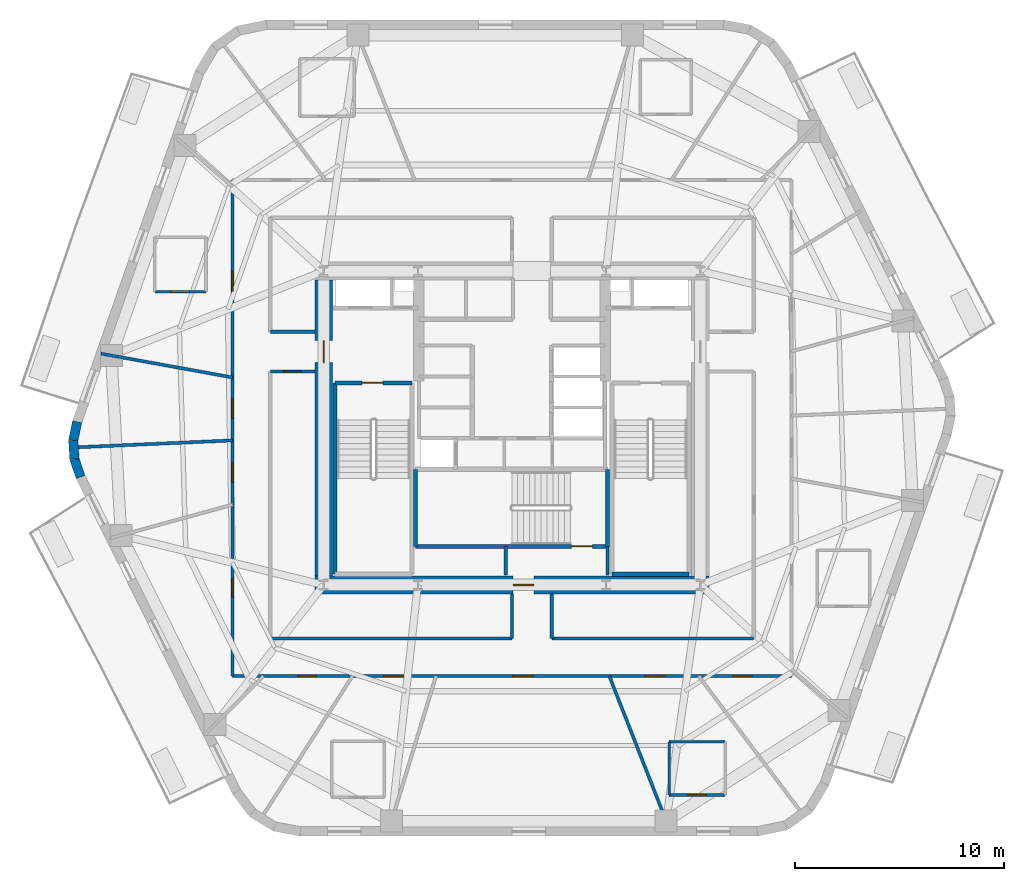
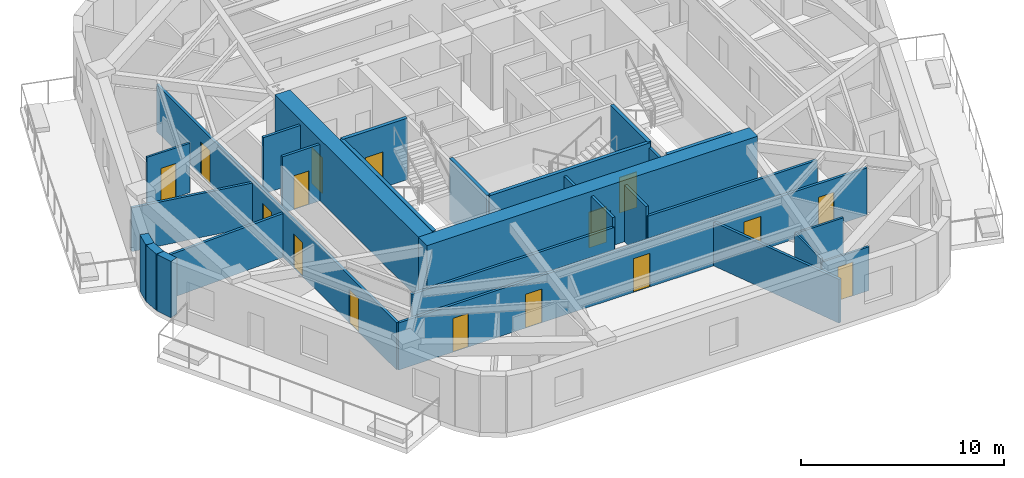
# One storey, part 3 of 10: 28 walls, 16 doors, 16 openings.
"""IFC4 building model written with IfcOpenShell, lengths in metres."""

from ifc_helpers import new_model, si_unit, direction, frame, frame_2d, origin, place, context, subcontext, project, spatial, rectangle, extrude, material, layer, layer_set, type_object, element, fill, save


model = new_model("IFC4")

# Units and contexts
model_context = context("Model", 3, precision=1e-05, world=origin(), true_north=direction((0.0, 1.0)))
body_context = subcontext(model_context, "Body", "Model", "MODEL_VIEW")
ifc_project = project(units=[si_unit("LENGTHUNIT", "METRE"), si_unit("AREAUNIT", "SQUARE_METRE"), si_unit("VOLUMEUNIT", "CUBIC_METRE"), si_unit("PLANEANGLEUNIT", "RADIAN"), si_unit("MASSUNIT", "GRAM", prefix="KILO")], contexts=[model_context])

# Site, building, storey
site_placement = place(None, origin())
site = spatial("IfcSite", under=ifc_project, at=site_placement, CompositionType="ELEMENT")
building_placement = place(site_placement, origin())
building = spatial("IfcBuilding", under=site, at=building_placement, Name="Kilnhurst Terrace Hotel", CompositionType="ELEMENT")
storey_placement = place(building_placement, frame((0.0, 0.0, 144.300048828125)))
storey = spatial("IfcBuildingStorey", under=building, at=storey_placement, Name="L35", CompositionType="ELEMENT", Elevation=144.300048828125)

# Walls
ifc_material_1 = material(Name="Precast concrete C40/50", Category="concrete")
ifc_layer_1 = layer(ifc_material_1, 0.449951171875, Name="Precast concrete C40/50")
ifc_layer_set_1 = layer_set([ifc_layer_1], Name="Precast concrete C40/50")
wall_type_1 = type_object("IfcWallType", Name="WL-BRK-450", PredefinedType="SOLIDWALL", material=ifc_layer_set_1)
wall_1_placement = place(storey_placement, frame((-20.78173828125, 0.298095703125, 0.0), z_axis=(0.0, 0.0, 1.0), x_axis=(-0.202570068411, -0.979267771033, 0.0)))
element("IfcWall", 1, at=wall_1_placement, inside=storey, type_object=wall_type_1, Name="L35 Rounded Corner Brick Wall C6.1", PredefinedType="SOLIDWALL", context=body_context, shape_type="SweptSolid", body=[
    extrude(rectangle(XDim=0.90869140625, YDim=0.449951171875, at=frame_2d((0.454345703125, 0.0))), origin(), (0.0, 0.0, 1.0), 3.39990234375),
])
wall_2_placement = place(storey_placement, frame((-20.9658203125, -0.591796875, 0.0), z_axis=(0.0, 0.0, 1.0), x_axis=(0.061748898935, -0.998091715966, 0.0)))
element("IfcWall", 2, at=wall_2_placement, inside=storey, type_object=wall_type_1, Name="L35 Rounded Corner Brick Wall C6.2", PredefinedType="SOLIDWALL", context=body_context, shape_type="SweptSolid", body=[
    extrude(rectangle(XDim=0.8935546875, YDim=0.449951171875, at=frame_2d((0.44677734375, 0.0))), origin(), (0.0, 0.0, 1.0), 3.39990234375),
])
wall_3_placement = place(storey_placement, frame((-20.91064453125, -1.483642578125, 0.0), z_axis=(0.0, 0.0, 1.0), x_axis=(0.321623334353, -0.946867694453, 0.0)))
element("IfcWall", 3, at=wall_3_placement, inside=storey, type_object=wall_type_1, Name="L35 Rounded Corner Brick Wall C6.3", PredefinedType="SOLIDWALL", context=body_context, shape_type="SweptSolid", body=[
    extrude(rectangle(XDim=0.90869140625, YDim=0.449951171875, at=frame_2d((0.454345703125, 0.0))), origin(), (0.0, 0.0, 1.0), 3.39990234375),
])

# Wall, openings, doors
ifc_material_2 = material(Name="Acoustic Double-Gypsum Corridor Partition Assembly")
ifc_layer_2 = layer(ifc_material_2, 0.14990234375, Name="Acoustic Double-Gypsum Corridor Partition Assembly")
ifc_layer_set_2 = layer_set([ifc_layer_2], Name="Acoustic Double-Gypsum Corridor Partition Assembly")
wall_type_2 = type_object("IfcWallType", Name="WL-COR-150", PredefinedType="PARTITIONING", material=ifc_layer_set_2)
wall_4_placement = place(storey_placement, frame((13.35009765625, -11.85009765625, 0.0), z_axis=(0.0, 0.0, 1.0), x_axis=(-1.0, 0.0, 0.0)))
wall_4 = element("IfcWall", 4, at=wall_4_placement, inside=storey, type_object=wall_type_2, Name="L35 Interior Wall WL-L35-COR-01", PredefinedType="PARTITIONING", context=body_context, shape_type="SweptSolid", body=[
    extrude(rectangle(XDim=26.7001953125, YDim=0.14990234375, at=frame_2d((13.35009765625, 0.0))), origin(), (0.0, 0.0, 1.0), 2.83984375),
])
opening_1_placement = place(wall_4_placement, frame((22.699951171875, 0.0, 0.0)))
opening_1 = element("IfcOpeningElement", 5, at=opening_1_placement, cuts=wall_4, Name="Opening D-60C", PredefinedType="OPENING", context=body_context, shape_type="SweptSolid", body=[
    extrude(rectangle(XDim=0.89990234375, YDim=2.030029296875, at=frame_2d((0.449951171875, 1.01513671875))), frame((0.0, 0.0849609375, 0.0), z_axis=(0.0, -1.0, 0.0), x_axis=(1.0, 0.0, 0.0)), (0.0, 0.0, 1.0), 0.169921875),
])
opening_2_placement = place(wall_4_placement, frame((18.52294921875, 0.0, 0.0)))
opening_2 = element("IfcOpeningElement", 6, at=opening_2_placement, cuts=wall_4, Name="Opening D-60B", PredefinedType="OPENING", context=body_context, shape_type="SweptSolid", body=[
    extrude(rectangle(XDim=0.949951171875, YDim=2.030029296875, at=frame_2d((0.47509765625, 1.01513671875))), frame((0.0, 0.0849609375, 0.0), z_axis=(0.0, -1.0, 0.0), x_axis=(1.0, 0.0, 0.0)), (0.0, 0.0, 1.0), 0.169921875),
])
opening_3_placement = place(wall_4_placement, frame((12.362060546875, 0.0, 0.0)))
opening_3 = element("IfcOpeningElement", 7, at=opening_3_placement, cuts=wall_4, Name="Opening D-60B", PredefinedType="OPENING", context=body_context, shape_type="SweptSolid", body=[
    extrude(rectangle(XDim=0.949951171875, YDim=2.030029296875, at=frame_2d((0.47509765625, 1.01513671875))), frame((0.0, 0.0849609375, 0.0), z_axis=(0.0, -1.0, 0.0), x_axis=(1.0, 0.0, 0.0)), (0.0, 0.0, 1.0), 0.169921875),
])
opening_4_placement = place(wall_4_placement, frame((6.06103515625, 0.0, 0.0)))
opening_4 = element("IfcOpeningElement", 8, at=opening_4_placement, cuts=wall_4, Name="Opening D-60B", PredefinedType="OPENING", context=body_context, shape_type="SweptSolid", body=[
    extrude(rectangle(XDim=0.949951171875, YDim=2.030029296875, at=frame_2d((0.47509765625, 1.01513671875))), frame((0.0, 0.0849609375, 0.0), z_axis=(0.0, -1.0, 0.0), x_axis=(1.0, 0.0, 0.0)), (0.0, 0.0, 1.0), 0.169921875),
])
opening_5_placement = place(wall_4_placement, frame((1.885986328125, 0.0, 0.0)))
opening_5 = element("IfcOpeningElement", 9, at=opening_5_placement, cuts=wall_4, Name="Opening D-60C", PredefinedType="OPENING", context=body_context, shape_type="SweptSolid", body=[
    extrude(rectangle(XDim=0.89990234375, YDim=2.030029296875, at=frame_2d((0.449951171875, 1.01513671875))), frame((0.0, 0.0849609375, 0.0), z_axis=(0.0, -1.0, 0.0), x_axis=(1.0, 0.0, 0.0)), (0.0, 0.0, 1.0), 0.169921875),
])
ifc_material_3 = material(Name="Painted Solid-Core Service Fire Door")
door_type_1 = type_object("IfcDoorType", Name="DR-FD60-900", OperationType="NOTDEFINED", PredefinedType="DOOR", material=ifc_material_3)
door_1_placement = place(opening_1_placement, origin())
door_1 = element("IfcDoor", 10, at=door_1_placement, inside=storey, type_object=door_type_1, Name="L35 Botanical Reading Lounge Door 13", OperationType="SINGLE_SWING_LEFT", OverallHeight=2.030029296875, OverallWidth=0.89990234375, PredefinedType="DOOR", context=body_context, shape_type="SweptSolid", body=[
    extrude(rectangle(XDim=0.89990234375, YDim=2.030029296875, at=frame_2d((0.449951171875, 1.01513671875))), frame((0.0, 0.02490234375, 0.0), z_axis=(0.0, -1.0, 0.0), x_axis=(1.0, 0.0, 0.0)), (0.0, 0.0, 1.0), 0.050048828125),
])
fill(opening_1, door_1)
door_2_placement = place(opening_5_placement, origin())
door_2 = element("IfcDoor", 11, at=door_2_placement, inside=storey, type_object=door_type_1, Name="L35 Private Meeting Salon Door 17", OperationType="SINGLE_SWING_LEFT", OverallHeight=2.030029296875, OverallWidth=0.89990234375, PredefinedType="DOOR", context=body_context, shape_type="SweptSolid", body=[
    extrude(rectangle(XDim=0.89990234375, YDim=2.030029296875, at=frame_2d((0.449951171875, 1.01513671875))), frame((0.0, 0.02490234375, 0.0), z_axis=(0.0, -1.0, 0.0), x_axis=(1.0, 0.0, 0.0)), (0.0, 0.0, 1.0), 0.050048828125),
])
fill(opening_5, door_2)
ifc_material_4 = material(Name="Acoustic Walnut Veneer Solid-Core Fire Door")
door_type_2 = type_object("IfcDoorType", Name="DR-FD60-950", OperationType="NOTDEFINED", PredefinedType="DOOR", material=ifc_material_4)
door_3_placement = place(opening_2_placement, origin())
door_3 = element("IfcDoor", 12, at=door_3_placement, inside=storey, type_object=door_type_2, Name="L35 Guest Room Entry Door 14", OperationType="SINGLE_SWING_RIGHT", OverallHeight=2.030029296875, OverallWidth=0.949951171875, PredefinedType="DOOR", context=body_context, shape_type="SweptSolid", body=[
    extrude(rectangle(XDim=0.949951171875, YDim=2.030029296875, at=frame_2d((0.47509765625, 1.01513671875))), frame((0.0, 0.02490234375, 0.0), z_axis=(0.0, -1.0, 0.0), x_axis=(1.0, 0.0, 0.0)), (0.0, 0.0, 1.0), 0.050048828125),
])
fill(opening_2, door_3)
door_4_placement = place(opening_3_placement, origin())
door_4 = element("IfcDoor", 13, at=door_4_placement, inside=storey, type_object=door_type_2, Name="L35 Executive Boardroom Door", OperationType="SINGLE_SWING_LEFT", OverallHeight=2.030029296875, OverallWidth=0.949951171875, PredefinedType="DOOR", context=body_context, shape_type="SweptSolid", body=[
    extrude(rectangle(XDim=0.949951171875, YDim=2.030029296875, at=frame_2d((0.47509765625, 1.01513671875))), frame((0.0, 0.02490234375, 0.0), z_axis=(0.0, -1.0, 0.0), x_axis=(1.0, 0.0, 0.0)), (0.0, 0.0, 1.0), 0.050048828125),
])
fill(opening_3, door_4)
door_5_placement = place(opening_4_placement, origin())
door_5 = element("IfcDoor", 14, at=door_5_placement, inside=storey, type_object=door_type_2, Name="L35 Guest Room Entry Door 16", OperationType="SINGLE_SWING_RIGHT", OverallHeight=2.030029296875, OverallWidth=0.949951171875, PredefinedType="DOOR", context=body_context, shape_type="SweptSolid", body=[
    extrude(rectangle(XDim=0.949951171875, YDim=2.030029296875, at=frame_2d((0.47509765625, 1.01513671875))), frame((0.0, 0.02490234375, 0.0), z_axis=(0.0, -1.0, 0.0), x_axis=(1.0, 0.0, 0.0)), (0.0, 0.0, 1.0), 0.050048828125),
])
fill(opening_4, door_5)

wall_5_placement = place(storey_placement, frame((-13.35009765625, -11.85009765625, 0.0), z_axis=(0.0, 0.0, 1.0), x_axis=(0.0, 1.0, 0.0)))
wall_5 = element("IfcWall", 15, at=wall_5_placement, inside=storey, type_object=wall_type_2, Name="L35 Interior Wall WL-L35-COR-02", PredefinedType="PARTITIONING", context=body_context, shape_type="SweptSolid", body=[
    extrude(rectangle(XDim=23.7001953125, YDim=0.14990234375, at=frame_2d((11.85009765625, 0.0))), origin(), (0.0, 0.0, 1.0), 2.83984375),
])
opening_6_placement = place(wall_5_placement, frame((18.388916015625, 0.0, 0.0)))
opening_6 = element("IfcOpeningElement", 16, at=opening_6_placement, cuts=wall_5, Name="Opening D-60B", PredefinedType="OPENING", context=body_context, shape_type="SweptSolid", body=[
    extrude(rectangle(XDim=0.949951171875, YDim=2.030029296875, at=frame_2d((0.47509765625, 1.01513671875))), frame((0.0, 0.0849609375, 0.0), z_axis=(0.0, -1.0, 0.0), x_axis=(1.0, 0.0, 0.0)), (0.0, 0.0, 1.0), 0.169921875),
])
opening_7_placement = place(wall_5_placement, frame((12.31494140625, 0.0, 0.0)))
opening_7 = element("IfcOpeningElement", 17, at=opening_7_placement, cuts=wall_5, Name="Opening D-60C", PredefinedType="OPENING", context=body_context, shape_type="SweptSolid", body=[
    extrude(rectangle(XDim=0.89990234375, YDim=2.030029296875, at=frame_2d((0.449951171875, 1.01513671875))), frame((0.0, 0.0849609375, 0.0), z_axis=(0.0, -1.0, 0.0), x_axis=(1.0, 0.0, 0.0)), (0.0, 0.0, 1.0), 0.169921875),
])
opening_8_placement = place(wall_5_placement, frame((9.27001953125, 0.0, 0.0)))
opening_8 = element("IfcOpeningElement", 18, at=opening_8_placement, cuts=wall_5, Name="Opening D-60C", PredefinedType="OPENING", context=body_context, shape_type="SweptSolid", body=[
    extrude(rectangle(XDim=0.89990234375, YDim=2.030029296875, at=frame_2d((0.449951171875, 1.01513671875))), frame((0.0, 0.0849609375, 0.0), z_axis=(0.0, -1.0, 0.0), x_axis=(1.0, 0.0, 0.0)), (0.0, 0.0, 1.0), 0.169921875),
])
opening_9_placement = place(wall_5_placement, frame((3.764892578125, 0.0, 0.0)))
opening_9 = element("IfcOpeningElement", 19, at=opening_9_placement, cuts=wall_5, Name="Opening D-60C", PredefinedType="OPENING", context=body_context, shape_type="SweptSolid", body=[
    extrude(rectangle(XDim=0.89990234375, YDim=2.030029296875, at=frame_2d((0.449951171875, 1.01513671875))), frame((0.0, 0.0849609375, 0.0), z_axis=(0.0, -1.0, 0.0), x_axis=(1.0, 0.0, 0.0)), (0.0, 0.0, 1.0), 0.169921875),
])
door_6_placement = place(opening_7_placement, origin())
door_6 = element("IfcDoor", 20, at=door_6_placement, inside=storey, type_object=door_type_1, Name="L35 Private Tasting Dining Room Door 10", OperationType="SINGLE_SWING_RIGHT", OverallHeight=2.030029296875, OverallWidth=0.89990234375, PredefinedType="DOOR", context=body_context, shape_type="SweptSolid", body=[
    extrude(rectangle(XDim=0.89990234375, YDim=2.030029296875, at=frame_2d((0.449951171875, 1.01513671875))), frame((0.0, 0.02490234375, 0.0), z_axis=(0.0, -1.0, 0.0), x_axis=(1.0, 0.0, 0.0)), (0.0, 0.0, 1.0), 0.050048828125),
])
fill(opening_7, door_6)
door_7_placement = place(opening_8_placement, origin())
door_7 = element("IfcDoor", 21, at=door_7_placement, inside=storey, type_object=door_type_1, Name="L35 Private Study Salon Door 11", OperationType="SINGLE_SWING_LEFT", OverallHeight=2.030029296875, OverallWidth=0.89990234375, PredefinedType="DOOR", context=body_context, shape_type="SweptSolid", body=[
    extrude(rectangle(XDim=0.89990234375, YDim=2.030029296875, at=frame_2d((0.449951171875, 1.01513671875))), frame((0.0, 0.02490234375, 0.0), z_axis=(0.0, -1.0, 0.0), x_axis=(1.0, 0.0, 0.0)), (0.0, 0.0, 1.0), 0.050048828125),
])
fill(opening_8, door_7)
door_8_placement = place(opening_9_placement, origin())
door_8 = element("IfcDoor", 22, at=door_8_placement, inside=storey, type_object=door_type_1, Name="L35 Executive Work Office Door 12", OperationType="SINGLE_SWING_RIGHT", OverallHeight=2.030029296875, OverallWidth=0.89990234375, PredefinedType="DOOR", context=body_context, shape_type="SweptSolid", body=[
    extrude(rectangle(XDim=0.89990234375, YDim=2.030029296875, at=frame_2d((0.449951171875, 1.01513671875))), frame((0.0, 0.02490234375, 0.0), z_axis=(0.0, -1.0, 0.0), x_axis=(1.0, 0.0, 0.0)), (0.0, 0.0, 1.0), 0.050048828125),
])
fill(opening_9, door_8)
door_9_placement = place(opening_6_placement, origin())
door_9 = element("IfcDoor", 23, at=door_9_placement, inside=storey, type_object=door_type_2, Name="L35 Executive Suite Entry Door 9", OperationType="SINGLE_SWING_LEFT", OverallHeight=2.030029296875, OverallWidth=0.949951171875, PredefinedType="DOOR", context=body_context, shape_type="SweptSolid", body=[
    extrude(rectangle(XDim=0.949951171875, YDim=2.030029296875, at=frame_2d((0.47509765625, 1.01513671875))), frame((0.0, 0.02490234375, 0.0), z_axis=(0.0, -1.0, 0.0), x_axis=(1.0, 0.0, 0.0)), (0.0, 0.0, 1.0), 0.050048828125),
])
fill(opening_6, door_9)

# Wall
wall_6_placement = place(storey_placement, frame((-11.550048828125, 4.60009765625, 0.0), z_axis=(0.0, 0.0, 1.0), x_axis=(1.0, 0.0, 0.0)))
element("IfcWall", 24, at=wall_6_placement, inside=storey, type_object=wall_type_2, Name="L35 Interior Wall WL-L35-COR-14", PredefinedType="PARTITIONING", context=body_context, shape_type="SweptSolid", body=[
    extrude(rectangle(XDim=2.125, YDim=0.14990234375, at=frame_2d((1.0625, 0.0))), origin(), (0.0, 0.0, 1.0), 3.39990234375),
])

# Wall, opening, door
wall_7_placement = place(storey_placement, frame((-9.425048828125, 2.699951171875, 0.0), z_axis=(0.0, 0.0, 1.0), x_axis=(-1.0, 0.0, 0.0)))
wall_7 = element("IfcWall", 25, at=wall_7_placement, inside=storey, type_object=wall_type_2, Name="L35 Interior Wall WL-L35-COR-15", PredefinedType="PARTITIONING", context=body_context, shape_type="SweptSolid", body=[
    extrude(rectangle(XDim=2.125, YDim=0.14990234375, at=frame_2d((1.0625, 0.0))), origin(), (0.0, 0.0, 1.0), 3.39990234375),
])
opening_10_placement = place(wall_7_placement, frame((0.636962890625, 0.0, 0.0)))
opening_10 = element("IfcOpeningElement", 26, at=opening_10_placement, cuts=wall_7, Name="Opening D-60D", PredefinedType="OPENING", context=body_context, shape_type="SweptSolid", body=[
    extrude(rectangle(XDim=0.85009765625, YDim=2.030029296875, at=frame_2d((0.425048828125, 1.01513671875))), frame((0.0, 0.0849609375, 0.0), z_axis=(0.0, -1.0, 0.0), x_axis=(1.0, 0.0, 0.0)), (0.0, 0.0, 1.0), 0.169921875),
])
ifc_material_5 = material(Name="Painted Hollow Metal Steel ASTM A36 Riser Door", Category="steel")
door_type_3 = type_object("IfcDoorType", Name="DR-FD60-850", OperationType="NOTDEFINED", PredefinedType="DOOR", material=ifc_material_5)
door_10_placement = place(opening_10_placement, origin())
door_10 = element("IfcDoor", 27, at=door_10_placement, inside=storey, type_object=door_type_3, Name="L35 Floor Linen Storage Room Door", OperationType="SINGLE_SWING_LEFT", OverallHeight=2.030029296875, OverallWidth=0.85009765625, PredefinedType="DOOR", context=body_context, shape_type="SweptSolid", body=[
    extrude(rectangle(XDim=0.85009765625, YDim=2.030029296875, at=frame_2d((0.425048828125, 1.01513671875))), frame((0.0, 0.02490234375, 0.0), z_axis=(0.0, -1.0, 0.0), x_axis=(1.0, 0.0, 0.0)), (0.0, 0.0, 1.0), 0.050048828125),
])
fill(opening_10, door_10)

# Walls
wall_8_placement = place(storey_placement, frame((-11.550048828125, -10.050048828125, 0.0), z_axis=(0.0, 0.0, 1.0), x_axis=(1.0, 0.0, 0.0)))
element("IfcWall", 28, at=wall_8_placement, inside=storey, type_object=wall_type_2, Name="L35 Interior Wall WL-L35-COR-17", PredefinedType="PARTITIONING", context=body_context, shape_type="SweptSolid", body=[
    extrude(rectangle(XDim=11.550048828125, YDim=0.14990234375, at=frame_2d((5.77490234375, 0.0))), origin(), (0.0, 0.0, 1.0), 2.83984375),
])
for number, where, z_axis, x_axis, name in (
    (29, (0.0, -10.050048828125, 0.0), (0.0, 0.0, 1.0), (0.0, 1.0, 0.0), "L35 Interior Wall WL-L35-COR-18"),
    (30, (1.89990234375, -7.925048828125, 0.0), (0.0, 0.0, 1.0), (0.0, -1.0, 0.0), "L35 Interior Wall WL-L35-COR-19"),
):
    element("IfcWall", number, at=place(storey_placement, frame(where, z_axis=z_axis, x_axis=x_axis)), inside=storey, type_object=wall_type_2, Name=name, PredefinedType="PARTITIONING", context=body_context, shape_type="SweptSolid", body=[
        extrude(rectangle(XDim=2.125, YDim=0.14990234375, at=frame_2d((1.0625, 0.0))), origin(), (0.0, 0.0, 1.0), 3.39990234375),
    ])
wall_9_placement = place(storey_placement, frame((1.89990234375, -10.050048828125, 0.0), z_axis=(0.0, 0.0, 1.0), x_axis=(1.0, 0.0, 0.0)))
element("IfcWall", 31, at=wall_9_placement, inside=storey, type_object=wall_type_2, Name="L35 Interior Wall WL-L35-COR-20", PredefinedType="PARTITIONING", context=body_context, shape_type="SweptSolid", body=[
    extrude(rectangle(XDim=9.650146484375, YDim=0.14990234375, at=frame_2d((4.8251953125, 0.0))), origin(), (0.0, 0.0, 1.0), 2.83984375),
])

# Wall, opening, door
ifc_material_6 = material(Name="Concrete C80/95", Category="concrete")
ifc_layer_3 = layer(ifc_material_6, 0.85009765625, Name="Concrete C80/95")
ifc_layer_set_3 = layer_set([ifc_layer_3], Name="Concrete C80/95")
wall_type_3 = type_object("IfcWallType", Name="WL-CORE-850", PredefinedType="SHEAR", material=ifc_layer_set_3)
wall_10_placement = place(storey_placement, frame((-9.425048828125, -7.5, 0.0), z_axis=(0.0, 0.0, 1.0), x_axis=(1.0, 0.0, 0.0)))
wall_10 = element("IfcWall", 32, at=wall_10_placement, inside=storey, type_object=wall_type_3, Name="L35 Core South Shear Wall", PredefinedType="SHEAR", context=body_context, shape_type="SweptSolid", body=[
    extrude(rectangle(XDim=18.85009765625, YDim=0.85009765625, at=frame_2d((9.425048828125, 0.0))), origin(), (0.0, 0.0, 1.0), 3.699951171875),
])
opening_11_placement = place(wall_10_placement, frame((9.47509765625, 0.0, 0.0)))
opening_11 = element("IfcOpeningElement", 33, at=opening_11_placement, cuts=wall_10, Name="Opening D-90B", PredefinedType="OPENING", context=body_context, shape_type="SweptSolid", body=[
    extrude(rectangle(XDim=1.0, YDim=2.14990234375, at=frame_2d((0.5, 1.074951171875))), frame((0.0, 0.43505859375, 0.0), z_axis=(0.0, -1.0, 0.0), x_axis=(1.0, 0.0, 0.0)), (0.0, 0.0, 1.0), 0.8701171875),
])
ifc_material_7 = material(Name="Painted Hollow Metal Steel ASTM A36 Fire Door", Category="steel")
door_type_4 = type_object("IfcDoorType", Name="DR-FD90-1000", OperationType="NOTDEFINED", PredefinedType="DOOR", material=ifc_material_7)
door_11_placement = place(opening_11_placement, origin())
door_11 = element("IfcDoor", 34, at=door_11_placement, inside=storey, type_object=door_type_4, Name="L35 Stair ST-3 Corridor Door", OperationType="SINGLE_SWING_RIGHT", OverallHeight=2.14990234375, OverallWidth=1.0, PredefinedType="DOOR", context=body_context, shape_type="SweptSolid", body=[
    extrude(rectangle(XDim=1.0, YDim=2.14990234375, at=frame_2d((0.5, 1.074951171875))), frame((0.0, 0.02490234375, 0.0), z_axis=(0.0, -1.0, 0.0), x_axis=(1.0, 0.0, 0.0)), (0.0, 0.0, 1.0), 0.050048828125),
])
fill(opening_11, door_11)

wall_11_placement = place(storey_placement, frame((-9.0, -7.074951171875, 0.0), z_axis=(0.0, 0.0, 1.0), x_axis=(0.0, 1.0, 0.0)))
wall_11 = element("IfcWall", 35, at=wall_11_placement, inside=storey, type_object=wall_type_3, Name="L35 Core West Shear Wall", PredefinedType="SHEAR", context=body_context, shape_type="SweptSolid", body=[
    extrude(rectangle(XDim=14.14990234375, YDim=0.85009765625, at=frame_2d((7.074951171875, 0.0))), origin(), (0.0, 0.0, 1.0), 3.699951171875),
])
opening_12_placement = place(wall_11_placement, frame((10.199951171875, 0.0, 0.0)))
opening_12 = element("IfcOpeningElement", 36, at=opening_12_placement, cuts=wall_11, Name="Opening D-90A", PredefinedType="OPENING", context=body_context, shape_type="SweptSolid", body=[
    extrude(rectangle(XDim=1.050048828125, YDim=2.14990234375, at=frame_2d((0.52490234375, 1.074951171875))), frame((0.0, 0.43505859375, 0.0), z_axis=(0.0, -1.0, 0.0), x_axis=(1.0, 0.0, 0.0)), (0.0, 0.0, 1.0), 0.8701171875),
])
door_type_5 = type_object("IfcDoorType", Name="DR-FD90-1050", OperationType="NOTDEFINED", PredefinedType="DOOR", material=ifc_material_7)
door_12_placement = place(opening_12_placement, origin())
door_12 = element("IfcDoor", 37, at=door_12_placement, inside=storey, type_object=door_type_5, Name="L35 West Firefighting Lobby Door", OperationType="SINGLE_SWING_RIGHT", OverallHeight=2.14990234375, OverallWidth=1.050048828125, PredefinedType="DOOR", context=body_context, shape_type="SweptSolid", body=[
    extrude(rectangle(XDim=1.050048828125, YDim=2.14990234375, at=frame_2d((0.52490234375, 1.074951171875))), frame((0.0, 0.02490234375, 0.0), z_axis=(0.0, -1.0, 0.0), x_axis=(1.0, 0.0, 0.0)), (0.0, 0.0, 1.0), 0.050048828125),
])
fill(opening_12, door_12)

# Walls
ifc_material_8 = material(Name="STC-58 Acoustic Twin-Frame Guestroom Demising Partition")
ifc_layer_4 = layer(ifc_material_8, 0.14990234375, Name="STC-58 Acoustic Twin-Frame Guestroom Demising Partition")
ifc_layer_set_4 = layer_set([ifc_layer_4], Name="STC-58 Acoustic Twin-Frame Guestroom Demising Partition")
wall_type_4 = type_object("IfcWallType", Name="WL-DEM-150", PredefinedType="PARTITIONING", material=ifc_layer_set_4)
wall_12_placement = place(storey_placement, frame((-13.35009765625, 2.417236328125, 0.0), z_axis=(0.0, 0.0, 1.0), x_axis=(-0.98399796473, 0.178179699761, 0.0)))
element("IfcWall", 38, at=wall_12_placement, inside=storey, type_object=wall_type_4, Name="L35 Interior Wall WL-L35-DEM-COL06-10-1", PredefinedType="PARTITIONING", context=body_context, shape_type="SweptSolid", body=[
    extrude(rectangle(XDim=6.393310546875, YDim=0.14990234375, at=frame_2d((3.19677734375, 0.0))), origin(), (0.0, 0.0, 1.0), 2.639892578125),
])
wall_13_placement = place(storey_placement, frame((-13.35009765625, -0.591064453125, 0.0), z_axis=(0.0, 0.0, 1.0), x_axis=(-0.999020359631, -0.044252921296, 0.0)))
element("IfcWall", 39, at=wall_13_placement, inside=storey, type_object=wall_type_4, Name="L35 Interior Wall WL-L35-DEM-MID06-11-1", PredefinedType="PARTITIONING", context=body_context, shape_type="SweptSolid", body=[
    extrude(rectangle(XDim=7.4423828125, YDim=0.14990234375, at=frame_2d((3.72119140625, 0.0))), origin(), (0.0, 0.0, 1.0), 2.639892578125),
])
wall_14_placement = place(storey_placement, frame((4.64990234375, -11.85009765625, 0.0), z_axis=(0.0, 0.0, 1.0), x_axis=(0.365265947993, -0.930903210456, 0.0)))
element("IfcWall", 40, at=wall_14_placement, inside=storey, type_object=wall_type_4, Name="L35 Interior Wall WL-L35-DEM-COL10-16-1", PredefinedType="PARTITIONING", context=body_context, shape_type="SweptSolid", body=[
    extrude(rectangle(XDim=7.975830078125, YDim=0.14990234375, at=frame_2d((3.98779296875, 0.0))), origin(), (0.0, 0.0, 1.0), 2.639892578125),
])

# Wall, opening, door
ifc_material_9 = material(Name="120 mm Moisture-Resistant Tile-Backed Bathroom Partition")
ifc_layer_5 = layer(ifc_material_9, 0.1201171875, Name="120 mm Moisture-Resistant Tile-Backed Bathroom Partition")
ifc_layer_set_5 = layer_set([ifc_layer_5], Name="120 mm Moisture-Resistant Tile-Backed Bathroom Partition")
wall_type_5 = type_object("IfcWallType", Name="WL-PART-120", PredefinedType="PARTITIONING", material=ifc_layer_set_5)
wall_15_placement = place(storey_placement, frame((-17.06298828125, 6.513916015625, 0.0), z_axis=(0.0, 0.0, 1.0), x_axis=(1.0, 0.0, 0.0)))
wall_15 = element("IfcWall", 41, at=wall_15_placement, inside=storey, type_object=wall_type_5, Name="L35 Interior Wall WL-L35-BTH-09-1", PredefinedType="PARTITIONING", context=body_context, shape_type="SweptSolid", body=[
    extrude(rectangle(XDim=2.43994140625, YDim=0.1201171875, at=frame_2d((1.219970703125, 0.0))), origin(), (0.0, 0.0, 1.0), 2.972412109375),
])
opening_13_placement = place(wall_15_placement, frame((0.794921875, 0.0, 0.0)))
opening_13 = element("IfcOpeningElement", 42, at=opening_13_placement, cuts=wall_15, Name="Opening D-08A", PredefinedType="OPENING", context=body_context, shape_type="SweptSolid", body=[
    extrude(rectangle(XDim=0.85009765625, YDim=2.030029296875, at=frame_2d((0.425048828125, 1.01513671875))), frame((0.0, 0.070068359375, 0.0), z_axis=(0.0, -1.0, 0.0), x_axis=(1.0, 0.0, 0.0)), (0.0, 0.0, 1.0), 0.14013671875),
])
ifc_material_10 = material(Name="Moisture-Resistant Lacquered En-suite Bathroom Door")
door_type_6 = type_object("IfcDoorType", Name="DR-INT-850", OperationType="NOTDEFINED", PredefinedType="DOOR", material=ifc_material_10)
door_13_placement = place(opening_13_placement, origin())
door_13 = element("IfcDoor", 43, at=door_13_placement, inside=storey, type_object=door_type_6, Name="L35 En-suite Bathroom Door 9", OperationType="SINGLE_SWING_RIGHT", OverallHeight=2.030029296875, OverallWidth=0.85009765625, PredefinedType="DOOR", context=body_context, shape_type="SweptSolid", body=[
    extrude(rectangle(XDim=0.85009765625, YDim=2.030029296875, at=frame_2d((0.425048828125, 1.01513671875))), frame((0.0, 0.02490234375, 0.0), z_axis=(0.0, -1.0, 0.0), x_axis=(1.0, 0.0, 0.0)), (0.0, 0.0, 1.0), 0.050048828125),
])
fill(opening_13, door_13)

wall_16_placement = place(storey_placement, frame((7.507080078125, -17.535888671875, 0.0), z_axis=(0.0, 0.0, 1.0), x_axis=(1.0, 0.0, 0.0)))
wall_16 = element("IfcWall", 44, at=wall_16_placement, inside=storey, type_object=wall_type_5, Name="L35 Interior Wall WL-L35-BTH-16-1", PredefinedType="PARTITIONING", context=body_context, shape_type="SweptSolid", body=[
    extrude(rectangle(XDim=2.679931640625, YDim=0.1201171875, at=frame_2d((1.33984375, 0.0))), origin(), (0.0, 0.0, 1.0), 2.639892578125),
])
opening_14_placement = place(wall_16_placement, frame((0.9150390625, 0.0, 0.0)))
opening_14 = element("IfcOpeningElement", 45, at=opening_14_placement, cuts=wall_16, Name="Opening D-08A", PredefinedType="OPENING", context=body_context, shape_type="SweptSolid", body=[
    extrude(rectangle(XDim=0.85009765625, YDim=2.030029296875, at=frame_2d((0.425048828125, 1.01513671875))), frame((0.0, 0.070068359375, 0.0), z_axis=(0.0, -1.0, 0.0), x_axis=(1.0, 0.0, 0.0)), (0.0, 0.0, 1.0), 0.14013671875),
])
door_14_placement = place(opening_14_placement, origin())
door_14 = element("IfcDoor", 46, at=door_14_placement, inside=storey, type_object=door_type_6, Name="L35 En-suite Bathroom Door 16", OperationType="SINGLE_SWING_RIGHT", OverallHeight=2.030029296875, OverallWidth=0.85009765625, PredefinedType="DOOR", context=body_context, shape_type="SweptSolid", body=[
    extrude(rectangle(XDim=0.85009765625, YDim=2.030029296875, at=frame_2d((0.425048828125, 1.01513671875))), frame((0.0, 0.02490234375, 0.0), z_axis=(0.0, -1.0, 0.0), x_axis=(1.0, 0.0, 0.0)), (0.0, 0.0, 1.0), 0.050048828125),
])
fill(opening_14, door_14)

# Walls
wall_17_placement = place(storey_placement, frame((10.18701171875, -14.99609375, 0.0), z_axis=(0.0, 0.0, 1.0), x_axis=(-1.0, 0.0, 0.0)))
element("IfcWall", 47, at=wall_17_placement, inside=storey, type_object=wall_type_5, Name="L35 Interior Wall WL-L35-BTH-16-3", PredefinedType="PARTITIONING", context=body_context, shape_type="SweptSolid", body=[
    extrude(rectangle(XDim=2.679931640625, YDim=0.1201171875, at=frame_2d((1.33984375, 0.0))), origin(), (0.0, 0.0, 1.0), 2.83984375),
])
wall_18_placement = place(storey_placement, frame((7.507080078125, -14.99609375, 0.0), z_axis=(0.0, 0.0, 1.0), x_axis=(0.0, -1.0, 0.0)))
element("IfcWall", 48, at=wall_18_placement, inside=storey, type_object=wall_type_5, Name="L35 Interior Wall WL-L35-BTH-16-4", PredefinedType="PARTITIONING", context=body_context, shape_type="SweptSolid", body=[
    extrude(rectangle(XDim=2.539794921875, YDim=0.1201171875, at=frame_2d((1.27001953125, 0.0))), origin(), (0.0, 0.0, 1.0), 2.83984375),
])
ifc_material_11 = material(Name="Fire-Rated Gypsum Shaftliner Assembly")
ifc_layer_6 = layer(ifc_material_11, 0.14990234375, Name="Fire-Rated Gypsum Shaftliner Assembly")
ifc_layer_set_6 = layer_set([ifc_layer_6], Name="Fire-Rated Gypsum Shaftliner Assembly")
wall_type_6 = type_object("IfcWallType", Name="WL-SHAFT-150", PredefinedType="PARTITIONING", material=ifc_layer_set_6)
for number, where, z_axis, x_axis, name in (
    (49, (-0.300048828125, -7.02001953125, 0.0), (0.0, 0.0, 1.0), (0.0, 1.0, 0.0), "L35 Interior Wall WL-L35-ST3-PSGW"),
    (50, (4.55810546875, -7.02001953125, 0.0), (0.0, 0.0, 1.0), (0.0, 1.0, 0.0), "L35 Interior Wall WL-L35-ST3-PSGE"),
):
    element("IfcWall", number, at=place(storey_placement, frame(where, z_axis=z_axis, x_axis=x_axis)), inside=storey, type_object=wall_type_6, Name=name, PredefinedType="PARTITIONING", context=body_context, shape_type="SweptSolid", body=[
        extrude(rectangle(XDim=1.362060546875, YDim=0.14990234375, at=frame_2d((0.68115234375, 0.0))), origin(), (0.0, 0.0, 1.0), 3.39990234375),
    ])
ifc_material_12 = material(Name="Concrete C50/60", Category="concrete")
ifc_layer_7 = layer(ifc_material_12, 0.199951171875, Name="Concrete C50/60")
ifc_layer_set_7 = layer_set([ifc_layer_7], Name="Concrete C50/60")
wall_type_7 = type_object("IfcWallType", Name="WL-STAIR-RC-200", PredefinedType="SHEAR", material=ifc_layer_set_7)
wall_19_placement = place(storey_placement, frame((-8.4580078125, -6.985107421875, 0.0), z_axis=(0.0, 0.0, 1.0), x_axis=(0.0, 1.0, 0.0)))
element("IfcWall", 51, at=wall_19_placement, inside=storey, type_object=wall_type_7, Name="L35 Structural Stair Shaft Wall WL-L35-ST1-W", PredefinedType="SHEAR", context=body_context, shape_type="SweptSolid", body=[
    extrude(rectangle(XDim=9.14306640625, YDim=0.199951171875, at=frame_2d((4.571533203125, 0.0))), origin(), (0.0, 0.0, 1.0), 3.699951171875),
])

# Wall, opening, door
wall_20_placement = place(storey_placement, frame((-8.4580078125, 2.157958984375, 0.0), z_axis=(0.0, 0.0, 1.0), x_axis=(1.0, 0.0, 0.0)))
wall_20 = element("IfcWall", 52, at=wall_20_placement, inside=storey, type_object=wall_type_7, Name="L35 Structural Stair Shaft Wall WL-L35-ST1-N", PredefinedType="SHEAR", context=body_context, shape_type="SweptSolid", body=[
    extrude(rectangle(XDim=3.68603515625, YDim=0.199951171875, at=frame_2d((1.843017578125, 0.0))), origin(), (0.0, 0.0, 1.0), 3.699951171875),
])
opening_15_placement = place(wall_20_placement, frame((1.300048828125, 0.0, 0.0)))
opening_15 = element("IfcOpeningElement", 53, at=opening_15_placement, cuts=wall_20, Name="Opening D-90B", PredefinedType="OPENING", context=body_context, shape_type="SweptSolid", body=[
    extrude(rectangle(XDim=1.0, YDim=2.14990234375, at=frame_2d((0.5, 1.074951171875))), frame((0.0, 0.10986328125, 0.0), z_axis=(0.0, -1.0, 0.0), x_axis=(1.0, 0.0, 0.0)), (0.0, 0.0, 1.0), 0.219970703125),
])
door_15_placement = place(opening_15_placement, origin())
door_15 = element("IfcDoor", 54, at=door_15_placement, inside=storey, type_object=door_type_4, Name="L35 Stair ST-1 Door", OperationType="SINGLE_SWING_LEFT", OverallHeight=2.14990234375, OverallWidth=1.0, PredefinedType="DOOR", context=body_context, shape_type="SweptSolid", body=[
    extrude(rectangle(XDim=1.0, YDim=2.14990234375, at=frame_2d((0.5, 1.074951171875))), frame((0.0, 0.02490234375, 0.0), z_axis=(0.0, -1.0, 0.0), x_axis=(1.0, 0.0, 0.0)), (0.0, 0.0, 1.0), 0.050048828125),
])
fill(opening_15, door_15)

# Walls
for number, where, z_axis, x_axis, name in (
    (55, (4.77197265625, -6.985107421875, 0.0), (0.0, 0.0, 1.0), (1.0, 0.0, 0.0), "L35 Structural Stair Shaft Wall WL-L35-ST2-S"),
    (56, (-4.60791015625, -5.657958984375, 0.0), (0.0, 0.0, 1.0), (0.0, 1.0, 0.0), "L35 Structural Stair Shaft Wall WL-L35-ST3-W"),
):
    element("IfcWall", number, at=place(storey_placement, frame(where, z_axis=z_axis, x_axis=x_axis)), inside=storey, type_object=wall_type_7, Name=name, PredefinedType="SHEAR", context=body_context, shape_type="SweptSolid", body=[
        extrude(rectangle(XDim=3.68603515625, YDim=0.199951171875, at=frame_2d((1.843017578125, 0.0))), origin(), (0.0, 0.0, 1.0), 3.699951171875),
    ])

# Wall, opening, door
wall_21_placement = place(storey_placement, frame((-4.60791015625, -5.657958984375, 0.0), z_axis=(0.0, 0.0, 1.0), x_axis=(1.0, 0.0, 0.0)))
wall_21 = element("IfcWall", 57, at=wall_21_placement, inside=storey, type_object=wall_type_7, Name="L35 Structural Stair Shaft Wall WL-L35-ST3-S", PredefinedType="SHEAR", context=body_context, shape_type="SweptSolid", body=[
    extrude(rectangle(XDim=9.166015625, YDim=0.199951171875, at=frame_2d((4.5830078125, 0.0))), origin(), (0.0, 0.0, 1.0), 3.699951171875),
])
opening_16_placement = place(wall_21_placement, frame((7.449951171875, 0.0, 0.0)))
opening_16 = element("IfcOpeningElement", 58, at=opening_16_placement, cuts=wall_21, Name="Opening D-90B", PredefinedType="OPENING", context=body_context, shape_type="SweptSolid", body=[
    extrude(rectangle(XDim=1.0, YDim=2.14990234375, at=frame_2d((0.5, 1.074951171875))), frame((0.0, 0.10986328125, 0.0), z_axis=(0.0, -1.0, 0.0), x_axis=(1.0, 0.0, 0.0)), (0.0, 0.0, 1.0), 0.219970703125),
])
door_16_placement = place(opening_16_placement, origin())
door_16 = element("IfcDoor", 59, at=door_16_placement, inside=storey, type_object=door_type_4, Name="L35 Stair ST-3 Shaft Door", OperationType="SINGLE_SWING_LEFT", OverallHeight=2.14990234375, OverallWidth=1.0, PredefinedType="DOOR", context=body_context, shape_type="SweptSolid", body=[
    extrude(rectangle(XDim=1.0, YDim=2.14990234375, at=frame_2d((0.5, 1.074951171875))), frame((0.0, 0.02490234375, 0.0), z_axis=(0.0, -1.0, 0.0), x_axis=(1.0, 0.0, 0.0)), (0.0, 0.0, 1.0), 0.050048828125),
])
fill(opening_16, door_16)

# Wall
wall_22_placement = place(storey_placement, frame((4.55810546875, -5.657958984375, 0.0), z_axis=(0.0, 0.0, 1.0), x_axis=(0.0, 1.0, 0.0)))
element("IfcWall", 60, at=wall_22_placement, inside=storey, type_object=wall_type_7, Name="L35 Structural Stair Shaft Wall WL-L35-ST3-E", PredefinedType="SHEAR", context=body_context, shape_type="SweptSolid", body=[
    extrude(rectangle(XDim=3.68603515625, YDim=0.199951171875, at=frame_2d((1.843017578125, 0.0))), origin(), (0.0, 0.0, 1.0), 3.699951171875),
])

save(model, "model.ifc")
